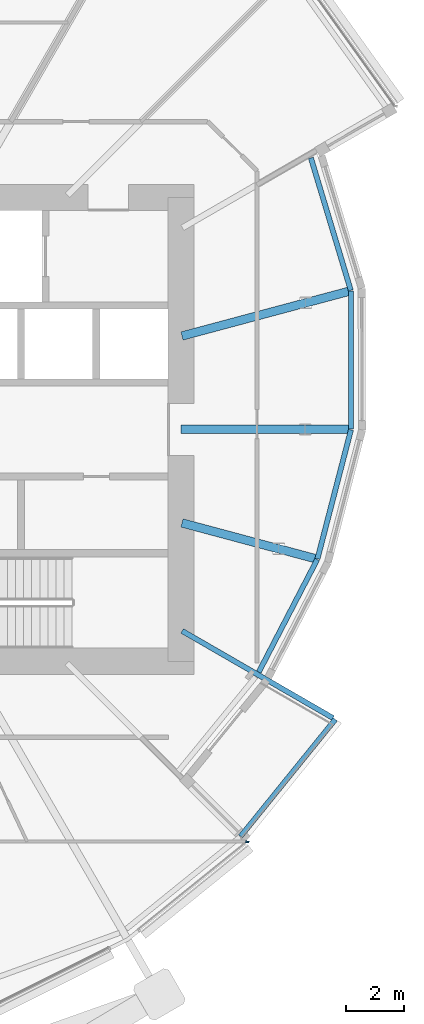
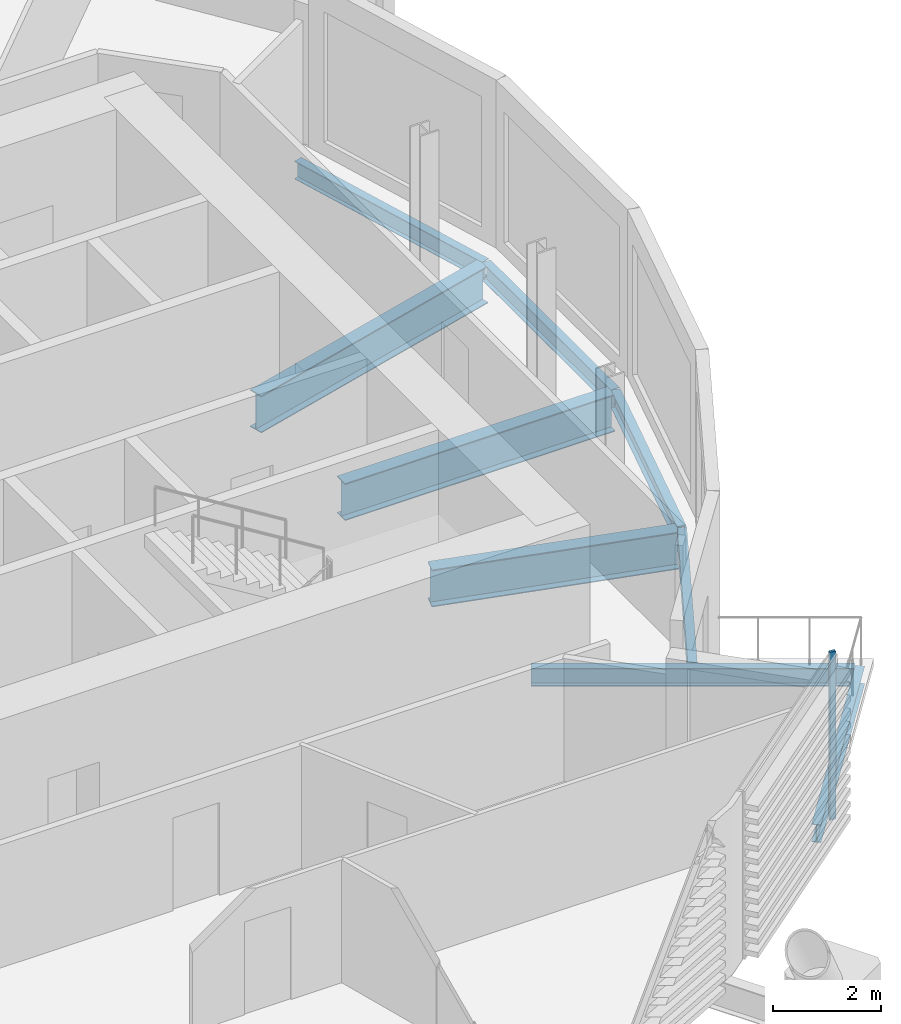
# One storey, part 17 of 34: 9 beams, 1 member, 1 element without a shape of its own.
"""IFC4 building model written with IfcOpenShell, lengths in metres."""

from ifc_helpers import new_model, si_unit, direction, frame, origin, origin_2d, place, context, subcontext, project, spatial, rectangle, i_section, extrude, material, material_profile, profile_set, type_object, element, aggregate, save


model = new_model("IFC4")

# Units and contexts
model_context = context("Model", 3, precision=1e-05, world=origin(), true_north=direction((0.0, 1.0)))
body_context = subcontext(model_context, "Body", "Model", "MODEL_VIEW")
ifc_project = project(units=[si_unit("LENGTHUNIT", "METRE"), si_unit("AREAUNIT", "SQUARE_METRE"), si_unit("VOLUMEUNIT", "CUBIC_METRE"), si_unit("PLANEANGLEUNIT", "RADIAN"), si_unit("MASSUNIT", "GRAM", prefix="KILO")], contexts=[model_context])

# Site, building, storey
site_placement = place(None, origin())
site = spatial("IfcSite", under=ifc_project, at=site_placement, CompositionType="ELEMENT")
building_placement = place(site_placement, origin())
building = spatial("IfcBuilding", under=site, at=building_placement, Name="Rimbun Link Towers", CompositionType="ELEMENT")
storey_placement = place(building_placement, frame((0.0, 0.0, 41.39990234375)))
storey = spatial("IfcBuildingStorey", under=building, at=storey_placement, Name="L09", CompositionType="ELEMENT", Elevation=41.39990234375)

# Curtain wall, member
ifc_material_1 = material(Name="Aluminium 6063-T6 and low-iron glass", Category="aluminium")
curtain_wall_type = type_object("IfcCurtainWallType", Name="CW1 unitised vision wall", PredefinedType="NOTDEFINED", material=ifc_material_1)
curtain_wall_placement = place(storey_placement, origin())
curtain_wall = element("IfcCurtainWall", 1, at=curtain_wall_placement, inside=storey, type_object=curtain_wall_type, Name="CW1 L09 T2", PredefinedType="NOTDEFINED")
ifc_material_2 = material(Name="Aluminium 6063-T6", Category="aluminium")
ifc_material_profile_1 = material_profile(ifc_material_2, rectangle(XDim=0.1201171875, YDim=0.06005859375, at=origin_2d()), Name="MULLION 60X120")
ifc_profile_set_1 = profile_set([ifc_material_profile_1], Name="Aluminium 6063-T6")
member_type = type_object("IfcMemberType", Name="CW1 mullion 60X120", PredefinedType="MULLION", material=ifc_profile_set_1)
member_placement = place(storey_placement, frame((46.04150390625, -14.23486328125, 0.0), z_axis=(0.0, 0.0, 1.0), x_axis=(0.998623946745, -0.05244247312, 0.0)))
member = element("IfcMember", 2, at=member_placement, type_object=member_type, Name="CW1 mullion", PredefinedType="MULLION", context=body_context, shape_type="SweptSolid", body=[
    extrude(rectangle(XDim=0.1201171875, YDim=0.06005859375, at=origin_2d()), origin(), (0.0, 0.0, 1.0), 3.800048828125),
])
aggregate(curtain_wall, [member])

# Beams
ifc_material_3 = material(Name="Steel S355J2", Category="steel")
ifc_material_profile_2 = material_profile(ifc_material_3, i_section(OverallWidth=0.177978515625, OverallDepth=0.406494140625, WebThickness=0.0078125, FlangeThickness=0.0126953125, at=origin_2d()), Name="UB 406x178x60")
ifc_profile_set_2 = profile_set([ifc_material_profile_2], Name="Steel S355J2")
beam_type_1 = type_object("IfcBeamType", Name="UB 406x178x60", PredefinedType="BEAM", material=ifc_profile_set_2)
beam_1_placement = place(storey_placement, frame((43.79541015625, -6.954345703125, -0.363037109375), z_axis=(0.866025306899, -0.50000016781, 0.0), x_axis=(0.50000016781, 0.866025306899, 0.0)))
element("IfcBeam", 3, at=beam_1_placement, inside=storey, type_object=beam_type_1, Name="Radial beam T2 L09 19", PredefinedType="BEAM", context=body_context, shape_type="SweptSolid", body=[
    extrude(i_section(OverallWidth=0.177978515625, OverallDepth=0.406494140625, WebThickness=0.0078125, FlangeThickness=0.0126953125, at=origin_2d()), origin(), (0.0, 0.0, 1.0), 6.01171875),
])
beam_2_placement = place(storey_placement, frame((45.810546875, -14.0458984375, -0.363037109375), z_axis=(0.62915362899, 0.777280973091, 0.0), x_axis=(-0.777280973091, 0.62915362899, 0.0)))
element("IfcBeam", 4, at=beam_2_placement, inside=storey, type_object=beam_type_1, Name="Edge beam T2 L09 18 terrace", PredefinedType="BEAM", context=body_context, shape_type="SweptSolid", body=[
    extrude(i_section(OverallWidth=0.177978515625, OverallDepth=0.406494140625, WebThickness=0.0078125, FlangeThickness=0.0126953125, at=origin_2d()), origin(), (0.0, 0.0, 1.0), 5.19677734375),
])
beam_3_placement = place(storey_placement, frame((46.439208984375, -8.372314453125, -0.363037109375), z_axis=(0.460882012792, 0.88746141904, 0.0), x_axis=(-0.88746141904, 0.460882012792, 0.0)))
element("IfcBeam", 5, at=beam_3_placement, inside=storey, type_object=beam_type_1, Name="Edge beam T2 L09 19 recess", PredefinedType="BEAM", context=body_context, shape_type="SweptSolid", body=[
    extrude(i_section(OverallWidth=0.177978515625, OverallDepth=0.406494140625, WebThickness=0.0078125, FlangeThickness=0.0126953125, at=origin_2d()), origin(), (0.0, 0.0, 1.0), 4.377197265625),
])
beam_4_placement = place(storey_placement, frame((48.46435546875, -4.467041015625, -0.363037109375), z_axis=(0.251212503294, 0.967931959483, 0.0), x_axis=(-0.967931959483, 0.251212503294, 0.0)))
element("IfcBeam", 6, at=beam_4_placement, inside=storey, type_object=beam_type_1, Name="Edge beam T2 L09 20 recess", PredefinedType="BEAM", context=body_context, shape_type="SweptSolid", body=[
    extrude(i_section(OverallWidth=0.177978515625, OverallDepth=0.406494140625, WebThickness=0.0078125, FlangeThickness=0.0126953125, at=origin_2d()), origin(), (0.0, 0.0, 1.0), 4.602783203125),
])
beam_5_placement = place(storey_placement, frame((49.623779296875, 0.012451171875, -0.363037109375), z_axis=(-0.001128088709, 0.999999363708, 0.0), x_axis=(-0.999999363708, -0.001128088709, 0.0)))
element("IfcBeam", 7, at=beam_5_placement, inside=storey, type_object=beam_type_1, Name="Edge beam T2 L09 21 recess", PredefinedType="BEAM", context=body_context, shape_type="SweptSolid", body=[
    extrude(i_section(OverallWidth=0.177978515625, OverallDepth=0.406494140625, WebThickness=0.0078125, FlangeThickness=0.0126953125, at=origin_2d()), origin(), (0.0, 0.0, 1.0), 4.76123046875),
])
beam_6_placement = place(storey_placement, frame((49.614501953125, 4.80126953125, -0.363037109375), z_axis=(-0.288299908006, 0.957540162627, 0.0), x_axis=(-0.957540162627, -0.288299908006, 0.0)))
element("IfcBeam", 8, at=beam_6_placement, inside=storey, type_object=beam_type_1, Name="Edge beam T2 L09 22 recess", PredefinedType="BEAM", context=body_context, shape_type="SweptSolid", body=[
    extrude(i_section(OverallWidth=0.177978515625, OverallDepth=0.406494140625, WebThickness=0.0078125, FlangeThickness=0.0126953125, at=origin_2d()), origin(), (0.0, 0.0, 1.0), 4.775146484375),
])
ifc_material_4 = material(Name="Steel S355J2", Category="steel")
ifc_material_profile_3 = material_profile(ifc_material_4, i_section(OverallWidth=0.29248046875, OverallDepth=0.8408203125, WebThickness=0.0126953125, FlangeThickness=0.021728515625, at=origin_2d()), Name="UB 838x292x194")
ifc_profile_set_3 = profile_set([ifc_material_profile_3], Name="Steel S355J2")
beam_type_2 = type_object("IfcBeamType", Name="UB 838x292x194", PredefinedType="BEAM", material=ifc_profile_set_3)
beam_7_placement = place(storey_placement, frame((43.788818359375, -3.225830078125, -0.580322265625), z_axis=(0.965933819548, -0.25878921201, 0.0), x_axis=(0.25878921201, 0.965933819548, 0.0)))
element("IfcBeam", 9, at=beam_7_placement, inside=storey, type_object=beam_type_2, Name="Radial beam T2 L09 20", PredefinedType="BEAM", context=body_context, shape_type="SweptSolid", body=[
    extrude(i_section(OverallWidth=0.29248046875, OverallDepth=0.8408203125, WebThickness=0.0126953125, FlangeThickness=0.021728515625, at=origin_2d()), origin(), (0.0, 0.0, 1.0), 4.7470703125),
])
beam_8_placement = place(storey_placement, frame((43.7509765625, 0.0, -0.580322265625), z_axis=(1.0, 0.0, 0.0), x_axis=(0.0, 1.0, 0.0)))
element("IfcBeam", 10, at=beam_8_placement, inside=storey, type_object=beam_type_2, Name="Radial beam T2 L09 21", PredefinedType="BEAM", context=body_context, shape_type="SweptSolid", body=[
    extrude(i_section(OverallWidth=0.29248046875, OverallDepth=0.8408203125, WebThickness=0.0126953125, FlangeThickness=0.021728515625, at=origin_2d()), origin(), (0.0, 0.0, 1.0), 5.7822265625),
])
beam_9_placement = place(storey_placement, frame((43.788818359375, 3.225830078125, -0.580322265625), z_axis=(0.965927520399, 0.258812722515, 0.0), x_axis=(-0.258812722515, 0.965927520399, 0.0)))
element("IfcBeam", 11, at=beam_9_placement, inside=storey, type_object=beam_type_2, Name="Radial beam T2 L09 22", PredefinedType="BEAM", context=body_context, shape_type="SweptSolid", body=[
    extrude(i_section(OverallWidth=0.29248046875, OverallDepth=0.8408203125, WebThickness=0.0126953125, FlangeThickness=0.021728515625, at=origin_2d()), origin(), (0.0, 0.0, 1.0), 5.94482421875),
])

save(model, "model.ifc")
